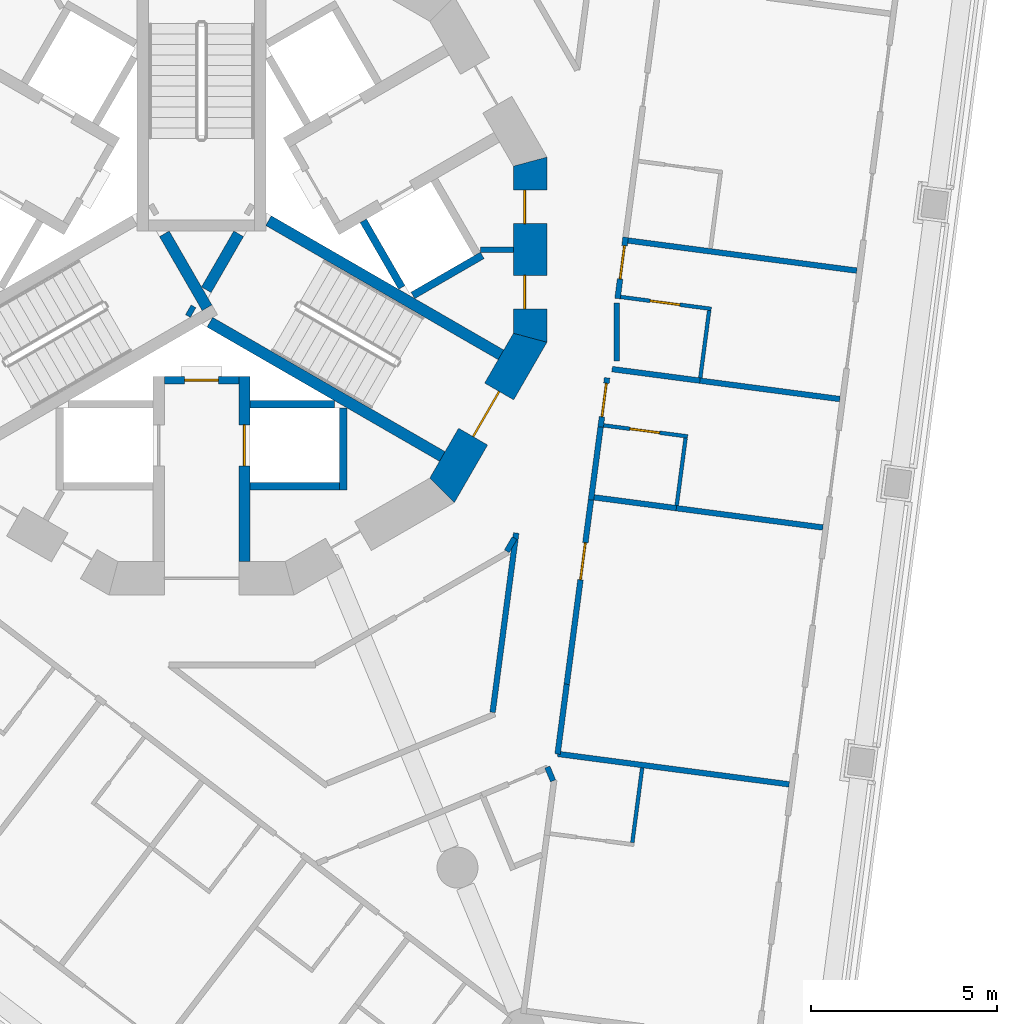
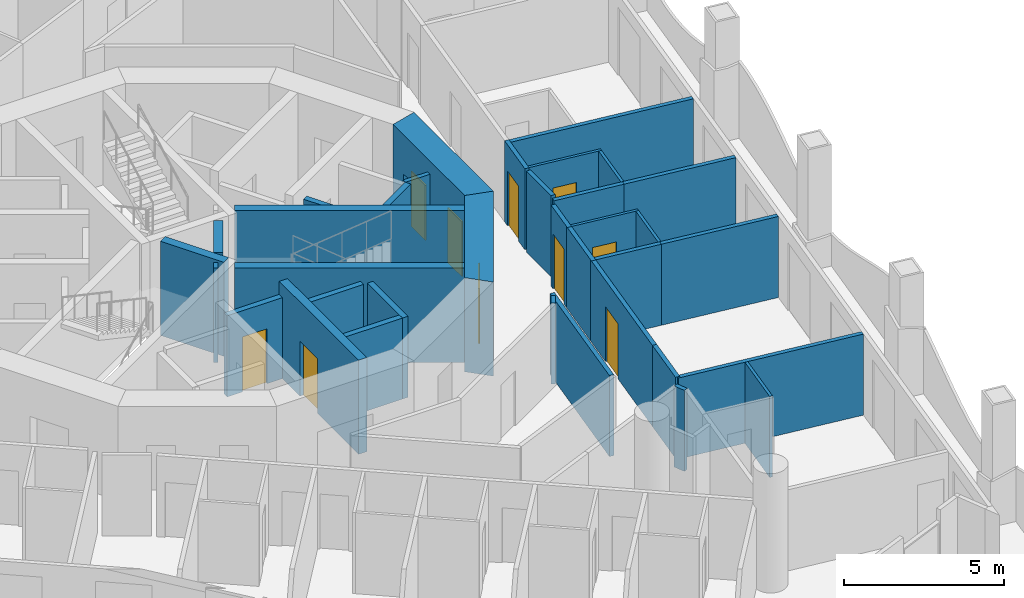
# One storey, part 5 of 17: 35 walls, 10 doors, 10 openings.
"""IFC4 building model written with IfcOpenShell, lengths in metres."""

from ifc_helpers import new_model, si_unit, direction, frame, frame_2d, origin, place, context, subcontext, project, spatial, polyline, rectangle, outline, extrude, material, layer, layer_set, type_object, element, fill, save


model = new_model("IFC4")

# Units and contexts
model_context = context("Model", 3, precision=1e-05, world=origin(), true_north=direction((0.0, 1.0)))
body_context = subcontext(model_context, "Body", "Model", "MODEL_VIEW")
ifc_project = project(units=[si_unit("LENGTHUNIT", "METRE"), si_unit("AREAUNIT", "SQUARE_METRE"), si_unit("VOLUMEUNIT", "CUBIC_METRE"), si_unit("PLANEANGLEUNIT", "RADIAN"), si_unit("MASSUNIT", "GRAM", prefix="KILO")], contexts=[model_context])

# Site, building, storey
site_placement = place(None, origin())
site = spatial("IfcSite", under=ifc_project, at=site_placement, CompositionType="ELEMENT")
building_placement = place(site_placement, origin())
building = spatial("IfcBuilding", under=site, at=building_placement, Name="Trine Commons Tower", CompositionType="ELEMENT")
storey_placement = place(building_placement, frame((0.0, 0.0, 153.0)))
storey = spatial("IfcBuildingStorey", under=building, at=storey_placement, Name="L39", CompositionType="ELEMENT", Elevation=153.0)

# Wall
ifc_material_1 = material(Name="Plasterboard partition on steel studs", Category="steel")
ifc_layer_1 = layer(ifc_material_1, 0.14990234375)
ifc_layer_set_1 = layer_set([ifc_layer_1], Name="Plasterboard partition on steel studs")
wall_type_1 = type_object("IfcWallType", Name="Core room partition 150 mm, EI 60", PredefinedType="PARTITIONING", material=ifc_layer_set_1)
wall_1_placement = place(storey_placement, frame((88.373046875, 62.5, 0.0), z_axis=(0.0, 0.0, 1.0), x_axis=(-1.0, 0.0, 0.0)))
element("IfcWall", 1, at=wall_1_placement, inside=storey, type_object=wall_type_1, Name="Core room partition L39", PredefinedType="PARTITIONING", context=body_context, shape_type="SweptSolid", body=[
    extrude(rectangle(XDim=0.882080078125, YDim=0.14990234375, at=frame_2d((0.44091796875, 0.0))), origin(), (0.0, 0.0, 1.0), 3.10009765625),
])

# Wall, opening, door
ifc_material_2 = material(Name="Fire-rated gypsum shaft wall system")
ifc_layer_2 = layer(ifc_material_2, 0.199951171875)
ifc_layer_set_2 = layer_set([ifc_layer_2], Name="Fire-rated gypsum shaft wall system")
wall_type_2 = type_object("IfcWallType", Name="Lobby end wall 200 mm, EI 120", PredefinedType="PARTITIONING", material=ifc_layer_set_2)
wall_2_placement = place(storey_placement, frame((79.0, 59.0, 0.0), z_axis=(0.0, 0.0, 1.0), x_axis=(1.0, 0.0, 0.0)))
wall_2 = element("IfcWall", 2, at=wall_2_placement, inside=storey, type_object=wall_type_2, Name="Lobby end wall L39", PredefinedType="PARTITIONING", context=body_context, shape_type="SweptSolid", body=[
    extrude(rectangle(XDim=2.0, YDim=0.199951171875, at=frame_2d((1.0, 0.0))), origin(), (0.0, 0.0, 1.0), 3.10009765625),
])
opening_1_placement = place(wall_2_placement, frame((0.550048828125, 0.0, 0.0)))
opening_1 = element("IfcOpeningElement", 3, at=opening_1_placement, cuts=wall_2, Name="Opening K10.09", PredefinedType="OPENING", context=body_context, shape_type="SweptSolid", body=[
    extrude(rectangle(XDim=0.89990234375, YDim=2.10009765625, at=frame_2d((0.449951171875, 1.050048828125))), frame((0.0, 0.10986328125, 0.0), z_axis=(0.0, -1.0, 0.0), x_axis=(1.0, 0.0, 0.0)), (0.0, 0.0, 1.0), 0.219970703125),
])
ifc_material_3 = material(Name="Steel door leaf, fire-rated", Category="steel")
door_type_1 = type_object("IfcDoorType", Name="Riser access door, single leaf 900 x 2100, FD60", OperationType="SINGLE_SWING_LEFT", PredefinedType="DOOR", material=ifc_material_3)
door_1_placement = place(opening_1_placement, frame((0.89990234375, 0.0, 0.0), z_axis=(0.0, 0.0, 1.0), x_axis=(-1.0, 0.0, 0.0)))
door_1 = element("IfcDoor", 4, at=door_1_placement, inside=storey, type_object=door_type_1, Name="Riser door, Communications riser L39", OperationType="SINGLE_SWING_RIGHT", OverallHeight=2.10009765625, OverallWidth=0.89990234375, PredefinedType="DOOR", context=body_context, shape_type="SweptSolid", body=[
    extrude(rectangle(XDim=0.89990234375, YDim=2.10009765625, at=frame_2d((0.449951171875, 1.050048828125))), frame((0.0, 0.02490234375, 0.0), z_axis=(0.0, -1.0, 0.0), x_axis=(1.0, 0.0, 0.0)), (0.0, 0.0, 1.0), 0.050048828125),
])
fill(opening_1, door_1)

ifc_material_4 = material(Name="Concrete C70/85", Category="concrete")
ifc_layer_3 = layer(ifc_material_4, 0.300048828125)
ifc_layer_set_3 = layer_set([ifc_layer_3], Name="Concrete C70/85")
wall_type_3 = type_object("IfcWallType", Name="RC shear wall 300 mm, C70/85", PredefinedType="SHEAR", material=ifc_layer_set_3)
wall_3_placement = place(storey_placement, frame((81.14990234375, 59.10009765625, 0.0), z_axis=(0.0, 0.0, 1.0), x_axis=(0.0, -1.0, 0.0)))
wall_3 = element("IfcWall", 5, at=wall_3_placement, inside=storey, type_object=wall_type_3, Name="Core cross wall SWB-04 L39", PredefinedType="SHEAR", context=body_context, shape_type="SweptSolid", body=[
    extrude(rectangle(XDim=4.97314453125, YDim=0.300048828125, at=frame_2d((2.486572265625, 0.0))), origin(), (0.0, 0.0, 1.0), 3.60009765625),
])
opening_2_placement = place(wall_3_placement, frame((1.300048828125, 0.0, 0.0)))
opening_2 = element("IfcOpeningElement", 6, at=opening_2_placement, cuts=wall_3, Name="Opening LD9", PredefinedType="OPENING", context=body_context, shape_type="SweptSolid", body=[
    extrude(rectangle(XDim=1.10009765625, YDim=2.10009765625, at=frame_2d((0.550048828125, 1.050048828125))), frame((0.0, 0.159912109375, 0.0), z_axis=(0.0, -1.0, 0.0), x_axis=(1.0, 0.0, 0.0)), (0.0, 0.0, 1.0), 0.320068359375),
])
ifc_material_5 = material(Name="Stainless steel sliding door leaves", Category="steel")
door_type_2 = type_object("IfcDoorType", Name="Lift landing door, centre-opening sliding 1100 x 2100, FD90", OperationType="DOUBLE_DOOR_SLIDING", PredefinedType="DOOR", material=ifc_material_5)
door_2_placement = place(opening_2_placement, origin())
door_2 = element("IfcDoor", 7, at=door_2_placement, inside=storey, type_object=door_type_2, Name="Lift landing door FF1 L39", OperationType="DOUBLE_DOOR_SLIDING", OverallHeight=2.10009765625, OverallWidth=1.10009765625, PredefinedType="DOOR", context=body_context, shape_type="SweptSolid", body=[
    extrude(rectangle(XDim=1.10009765625, YDim=2.10009765625, at=frame_2d((0.550048828125, 1.050048828125))), frame((0.0, 0.02490234375, 0.0), z_axis=(0.0, -1.0, 0.0), x_axis=(1.0, 0.0, 0.0)), (0.0, 0.0, 1.0), 0.050048828125),
])
fill(opening_2, door_2)

# Walls
wall_4_placement = place(storey_placement, frame((79.0029296875, 62.926025390625, 0.0), z_axis=(0.0, 0.0, 1.0), x_axis=(0.499965247104, -0.866045467449, 0.0)))
element("IfcWall", 8, at=wall_4_placement, inside=storey, type_object=wall_type_3, Name="Core cross wall SWB-10 L39", PredefinedType="SHEAR", context=body_context, shape_type="SweptSolid", body=[
    extrude(rectangle(XDim=2.292236328125, YDim=0.300048828125, at=frame_2d((1.14599609375, 0.0))), origin(), (0.0, 0.0, 1.0), 3.60009765625),
])
wall_5_placement = place(storey_placement, frame((79.64599609375, 60.885986328125, 0.0), z_axis=(0.0, 0.0, 1.0), x_axis=(0.867331893649, -0.497730234424, 0.0)))
element("IfcWall", 9, at=wall_5_placement, inside=storey, type_object=wall_type_3, Name="Core cross wall SWB-11 L39", PredefinedType="SHEAR", context=body_context, shape_type="SweptSolid", body=[
    extrude(rectangle(XDim=0.148681640625, YDim=0.300048828125, at=frame_2d((0.07421875, 0.0))), origin(), (0.0, 0.0, 1.0), 3.60009765625),
])
wall_6_placement = place(storey_placement, frame((80.1298828125, 61.424072265625, 0.0), z_axis=(0.0, 0.0, 1.0), x_axis=(0.500014901547, 0.866016800201, 0.0)))
element("IfcWall", 10, at=wall_6_placement, inside=storey, type_object=wall_type_3, Name="Core cross wall SWB-12 L39", PredefinedType="SHEAR", context=body_context, shape_type="SweptSolid", body=[
    extrude(rectangle(XDim=1.734375, YDim=0.300048828125, at=frame_2d((0.8671875, 0.0))), origin(), (0.0, 0.0, 1.0), 3.60009765625),
])
for number, where, z_axis, x_axis, name in (
    (11, (80.22509765625, 60.552001953125, 0.0), (0.0, 0.0, 1.0), (0.866028135082, -0.499995269223, 0.0), "Core cross wall SWB-13 L39"),
    (12, (81.800048828125, 63.280029296875, 0.0), (0.0, 0.0, 1.0), (0.866028135082, -0.499995269223, 0.0), "Core cross wall SWB-18 L39"),
):
    element("IfcWall", number, at=place(storey_placement, frame(where, z_axis=z_axis, x_axis=x_axis)), inside=storey, type_object=wall_type_3, Name=name, PredefinedType="SHEAR", context=body_context, shape_type="SweptSolid", body=[
        extrude(rectangle(XDim=7.2041015625, YDim=0.300048828125, at=frame_2d((3.60205078125, 0.0))), origin(), (0.0, 0.0, 1.0), 3.60009765625),
    ])

# Wall, openings, doors
ifc_layer_4 = layer(ifc_material_4, 0.89990234375)
ifc_layer_set_4 = layer_set([ifc_layer_4], Name="Concrete C70/85")
wall_type_4 = type_object("IfcWallType", Name="RC shear wall 900 mm, C70/85", PredefinedType="SHEAR", material=ifc_layer_set_4)
wall_7_placement = place(storey_placement, frame((88.822998046875, 60.015380859375, 0.0), z_axis=(0.0, 0.0, 1.0), x_axis=(0.0, 1.0, 0.0)))
wall_7 = element("IfcWall", 13, at=wall_7_placement, inside=storey, type_object=wall_type_4, Name="Core wall CWD-01 L39", PredefinedType="SHEAR", context=body_context, shape_type="SweptSolid", body=[
    extrude(outline(polyline([(0.0, -0.449951171875), (4.969482421875, -0.449951171875), (4.728271484375, 0.449951171875), (0.2412109375, 0.449951171875), (0.0, -0.449951171875)])), origin(), (0.0, 0.0, 1.0), 3.60009765625),
])
opening_3_placement = place(wall_7_placement, frame((0.893798828125, 0.0, 0.0)))
opening_3 = element("IfcOpeningElement", 14, at=opening_3_placement, cuts=wall_7, Name="Opening K10.10", PredefinedType="OPENING", context=body_context, shape_type="SweptSolid", body=[
    extrude(rectangle(XDim=0.89990234375, YDim=2.10009765625, at=frame_2d((0.449951171875, 1.050048828125))), frame((0.0, 0.4599609375, 0.0), z_axis=(0.0, -1.0, 0.0), x_axis=(1.0, 0.0, 0.0)), (0.0, 0.0, 1.0), 0.919921875),
])
opening_4_placement = place(wall_7_placement, frame((3.184814453125, 0.0, 0.0)))
opening_4 = element("IfcOpeningElement", 15, at=opening_4_placement, cuts=wall_7, Name="Opening K10.11", PredefinedType="OPENING", context=body_context, shape_type="SweptSolid", body=[
    extrude(rectangle(XDim=0.89990234375, YDim=2.10009765625, at=frame_2d((0.449951171875, 1.050048828125))), frame((0.0, 0.4599609375, 0.0), z_axis=(0.0, -1.0, 0.0), x_axis=(1.0, 0.0, 0.0)), (0.0, 0.0, 1.0), 0.919921875),
])
door_type_3 = type_object("IfcDoorType", Name="Core room door, single leaf 900 x 2100, FD30S", OperationType="SINGLE_SWING_LEFT", PredefinedType="DOOR", material=ifc_material_3)
door_3_placement = place(opening_3_placement, origin())
door_3 = element("IfcDoor", 16, at=door_3_placement, inside=storey, type_object=door_type_3, Name="Door to Cleaner's store L39", OperationType="SINGLE_SWING_LEFT", OverallHeight=2.10009765625, OverallWidth=0.89990234375, PredefinedType="DOOR", context=body_context, shape_type="SweptSolid", body=[
    extrude(rectangle(XDim=0.89990234375, YDim=2.10009765625, at=frame_2d((0.449951171875, 1.050048828125))), frame((0.0, 0.1748046875, 0.0), z_axis=(0.0, -1.0, 0.0), x_axis=(1.0, 0.0, 0.0)), (0.0, 0.0, 1.0), 0.050048828125),
])
fill(opening_3, door_3)
door_4_placement = place(opening_4_placement, origin())
door_4 = element("IfcDoor", 17, at=door_4_placement, inside=storey, type_object=door_type_3, Name="Door to Accessible WC L39", OperationType="SINGLE_SWING_RIGHT", OverallHeight=2.10009765625, OverallWidth=0.89990234375, PredefinedType="DOOR", context=body_context, shape_type="SweptSolid", body=[
    extrude(rectangle(XDim=0.89990234375, YDim=2.10009765625, at=frame_2d((0.449951171875, 1.050048828125))), frame((0.0, 0.1748046875, 0.0), z_axis=(0.0, -1.0, 0.0), x_axis=(1.0, 0.0, 0.0)), (0.0, 0.0, 1.0), 0.050048828125),
])
fill(opening_4, door_4)

# Wall, opening, door
wall_8_placement = place(storey_placement, frame((86.3984375, 55.936767578125, 0.0), z_axis=(0.0, 0.0, 1.0), x_axis=(0.500038571144, 0.866003133579, 0.0)))
wall_8 = element("IfcWall", 18, at=wall_8_placement, inside=storey, type_object=wall_type_4, Name="Core wall CWD-12 L39", PredefinedType="SHEAR", context=body_context, shape_type="SweptSolid", body=[
    extrude(outline(polyline([(0.0, -0.449951171875), (4.96923828125, -0.449951171875), (4.72802734375, 0.449951171875), (0.2412109375, 0.449951171875), (0.0, -0.449951171875)])), origin(), (0.0, 0.0, 1.0), 3.60009765625),
])
opening_5_placement = place(wall_8_placement, frame((1.78466796875, 0.0, 0.0)))
opening_5 = element("IfcOpeningElement", 19, at=opening_5_placement, cuts=wall_8, Name="Opening K10.03", PredefinedType="OPENING", context=body_context, shape_type="SweptSolid", body=[
    extrude(rectangle(XDim=1.39990234375, YDim=2.10009765625, at=frame_2d((0.699951171875, 1.050048828125))), frame((0.0, 0.4599609375, 0.0), z_axis=(0.0, -1.0, 0.0), x_axis=(1.0, 0.0, 0.0)), (0.0, 0.0, 1.0), 0.919921875),
])
ifc_material_6 = material(Name="Steel door leaves, fire-rated", Category="steel")
door_type_4 = type_object("IfcDoorType", Name="Stair door, double leaf 1400 x 2100, FD90", OperationType="DOUBLE_DOOR_SINGLE_SWING", PredefinedType="DOOR", material=ifc_material_6)
door_5_placement = place(opening_5_placement, origin())
door_5 = element("IfcDoor", 20, at=door_5_placement, inside=storey, type_object=door_type_4, Name="Stair door to Exit stair ST3B L39", OperationType="DOUBLE_DOOR_SINGLE_SWING", OverallHeight=2.10009765625, OverallWidth=1.39990234375, PredefinedType="DOOR", context=body_context, shape_type="SweptSolid", body=[
    extrude(rectangle(XDim=1.39990234375, YDim=2.10009765625, at=frame_2d((0.699951171875, 1.050048828125))), frame((0.0, 0.02490234375, 0.0), z_axis=(0.0, -1.0, 0.0), x_axis=(1.0, 0.0, 0.0)), (0.0, 0.0, 1.0), 0.050048828125),
])
fill(opening_5, door_5)

# Walls
ifc_layer_5 = layer(ifc_material_2, 0.199951171875)
ifc_layer_set_5 = layer_set([ifc_layer_5], Name="Fire-rated gypsum shaft wall system")
wall_type_5 = type_object("IfcWallType", Name="Shaft wall 200 mm, EI 120", PredefinedType="PARTITIONING", material=ifc_layer_set_5)
wall_9_placement = place(storey_placement, frame((81.300048828125, 56.14990234375, 0.0), z_axis=(0.0, 0.0, 1.0), x_axis=(1.0, 0.0, 0.0)))
element("IfcWall", 21, at=wall_9_placement, inside=storey, type_object=wall_type_5, Name="Shaft wall L39", PredefinedType="PARTITIONING", context=body_context, shape_type="SweptSolid", body=[
    extrude(rectangle(XDim=2.39990234375, YDim=0.199951171875, at=frame_2d((1.199951171875, 0.0))), origin(), (0.0, 0.0, 1.0), 3.10009765625),
])
wall_10_placement = place(storey_placement, frame((81.300048828125, 58.35009765625, 0.0), z_axis=(0.0, 0.0, 1.0), x_axis=(1.0, 0.0, 0.0)))
element("IfcWall", 22, at=wall_10_placement, inside=storey, type_object=wall_type_5, Name="Shaft wall L39", PredefinedType="PARTITIONING", context=body_context, shape_type="SweptSolid", body=[
    extrude(rectangle(XDim=2.264892578125, YDim=0.199951171875, at=frame_2d((1.13232421875, 0.0))), origin(), (0.0, 0.0, 1.0), 3.10009765625),
])
wall_11_placement = place(storey_placement, frame((83.800048828125, 58.257080078125, 0.0), z_axis=(0.0, 0.0, 1.0), x_axis=(0.0, -1.0, 0.0)))
element("IfcWall", 23, at=wall_11_placement, inside=storey, type_object=wall_type_5, Name="Shaft wall L39", PredefinedType="PARTITIONING", context=body_context, shape_type="SweptSolid", body=[
    extrude(rectangle(XDim=2.20703125, YDim=0.199951171875, at=frame_2d((1.103515625, 0.0))), origin(), (0.0, 0.0, 1.0), 3.10009765625),
])
wall_12_placement = place(storey_placement, frame((84.343994140625, 63.27587890625, 0.0), z_axis=(0.0, 0.0, 1.0), x_axis=(0.500271688072, -0.86586848777, 0.0)))
element("IfcWall", 24, at=wall_12_placement, inside=storey, type_object=wall_type_5, Name="Shaft wall L39", PredefinedType="PARTITIONING", context=body_context, shape_type="SweptSolid", body=[
    extrude(rectangle(XDim=2.064697265625, YDim=0.199951171875, at=frame_2d((1.0322265625, 0.0))), origin(), (0.0, 0.0, 1.0), 3.10009765625),
])
wall_13_placement = place(storey_placement, frame((85.675048828125, 61.27392578125, 0.0), z_axis=(0.0, 0.0, 1.0), x_axis=(0.866102336459, 0.499866725018, 0.0)))
element("IfcWall", 25, at=wall_13_placement, inside=storey, type_object=wall_type_5, Name="Shaft wall L39", PredefinedType="PARTITIONING", context=body_context, shape_type="SweptSolid", body=[
    extrude(rectangle(XDim=2.1484375, YDim=0.199951171875, at=frame_2d((1.07421875, 0.0))), origin(), (0.0, 0.0, 1.0), 3.10009765625),
])
ifc_material_7 = material(Name="Gypsum plasterboard on steel stud", Category="steel")
ifc_layer_6 = layer(ifc_material_7, 0.14990234375)
ifc_layer_set_6 = layer_set([ifc_layer_6], Name="Gypsum plasterboard on steel stud")
wall_type_6 = type_object("IfcWallType", Name="Unit and corridor wall 150 mm, EI 60", PredefinedType="PARTITIONING", material=ifc_layer_set_6)
wall_14_placement = place(storey_placement, frame((87.814697265625, 50.080322265625, 0.0), z_axis=(0.0, 0.0, 1.0), x_axis=(0.130546835993, 0.991442143351, 0.0)))
element("IfcWall", 26, at=wall_14_placement, inside=storey, type_object=wall_type_6, Name="Partition 101", PredefinedType="PARTITIONING", context=body_context, shape_type="SweptSolid", body=[
    extrude(rectangle(XDim=4.856689453125, YDim=0.14990234375, at=frame_2d((2.42822265625, 0.0))), origin(), (0.0, 0.0, 1.0), 3.10009765625),
])
wall_15_placement = place(storey_placement, frame((88.198486328125, 54.404052734375, 0.0), z_axis=(0.0, 0.0, 1.0), x_axis=(0.499481060725, 0.866324806281, 0.0)))
element("IfcWall", 27, at=wall_15_placement, inside=storey, type_object=wall_type_6, Name="Partition 103", PredefinedType="PARTITIONING", context=body_context, shape_type="SweptSolid", body=[
    extrude(rectangle(XDim=0.40869140625, YDim=0.14990234375, at=frame_2d((0.204345703125, 0.0))), origin(), (0.0, 0.0, 1.0), 3.10009765625),
])
wall_16_placement = place(storey_placement, frame((89.283935546875, 48.611328125, 0.0), z_axis=(0.0, 0.0, 1.0), x_axis=(0.383358021714, -0.923599819829, 0.0)))
element("IfcWall", 28, at=wall_16_placement, inside=storey, type_object=wall_type_6, Name="Partition 111", PredefinedType="PARTITIONING", context=body_context, shape_type="SweptSolid", body=[
    extrude(rectangle(XDim=0.39990234375, YDim=0.14990234375, at=frame_2d((0.199951171875, 0.0))), origin(), (0.0, 0.0, 1.0), 3.10009765625),
])
wall_17_placement = place(storey_placement, frame((89.55908203125, 48.9609375, 0.0), z_axis=(0.0, 0.0, 1.0), x_axis=(0.130073589494, 0.99150434256, 0.0)))
element("IfcWall", 29, at=wall_17_placement, inside=storey, type_object=wall_type_6, Name="Partition 112", PredefinedType="PARTITIONING", context=body_context, shape_type="SweptSolid", body=[
    extrude(rectangle(XDim=1.89013671875, YDim=0.14990234375, at=frame_2d((0.945068359375, 0.0))), origin(), (0.0, 0.0, 1.0), 3.10009765625),
])
wall_18_placement = place(storey_placement, frame((89.55908203125, 48.965087890625, 0.0), z_axis=(0.0, 0.0, 1.0), x_axis=(0.991455620836, -0.130444439942, 0.0)))
element("IfcWall", 30, at=wall_18_placement, inside=storey, type_object=wall_type_6, Name="Partition 113", PredefinedType="PARTITIONING", context=body_context, shape_type="SweptSolid", body=[
    extrude(rectangle(XDim=6.269775390625, YDim=0.14990234375, at=frame_2d((3.134765625, 0.0))), origin(), (0.0, 0.0, 1.0), 3.10009765625),
])

# Wall, opening, door
wall_19_placement = place(storey_placement, frame((89.804931640625, 50.8349609375, 0.0), z_axis=(0.0, 0.0, 1.0), x_axis=(0.130505549377, 0.991447578837, 0.0)))
wall_19 = element("IfcWall", 31, at=wall_19_placement, inside=storey, type_object=wall_type_6, Name="Partition 114", PredefinedType="PARTITIONING", context=body_context, shape_type="SweptSolid", body=[
    extrude(rectangle(XDim=5.073486328125, YDim=0.14990234375, at=frame_2d((2.53662109375, 0.0))), origin(), (0.0, 0.0, 1.0), 3.10009765625),
])
opening_6_placement = place(wall_19_placement, frame((2.83056640625, 0.0, 0.0)))
opening_6 = element("IfcOpeningElement", 32, at=opening_6_placement, cuts=wall_19, Name="Opening D-4C20", PredefinedType="OPENING", context=body_context, shape_type="SweptSolid", body=[
    extrude(rectangle(XDim=1.0, YDim=2.10009765625, at=frame_2d((0.5, 1.050048828125))), frame((0.0, 0.0849609375, 0.0), z_axis=(0.0, -1.0, 0.0), x_axis=(1.0, 0.0, 0.0)), (0.0, 0.0, 1.0), 0.169921875),
])
ifc_material_8 = material(Name="Painted timber", Category="wood")
door_type_5 = type_object("IfcDoorType", Name="Amenity room door 1000 x 2100, NOT RATED", OperationType="NOTDEFINED", PredefinedType="DOOR", material=ifc_material_8)
door_6_placement = place(opening_6_placement, frame((1.0, 0.0, 0.0), z_axis=(0.0, 0.0, 1.0), x_axis=(-1.0, 0.0, 0.0)))
door_6 = element("IfcDoor", 33, at=door_6_placement, inside=storey, type_object=door_type_5, Name="Door D-4C20", OperationType="SINGLE_SWING_LEFT", OverallHeight=2.10009765625, OverallWidth=1.0, PredefinedType="DOOR", context=body_context, shape_type="SweptSolid", body=[
    extrude(rectangle(XDim=1.0, YDim=2.10009765625, at=frame_2d((0.5, 1.050048828125))), frame((0.0, 0.02490234375, 0.0), z_axis=(0.0, -1.0, 0.0), x_axis=(1.0, 0.0, 0.0)), (0.0, 0.0, 1.0), 0.050048828125),
])
fill(opening_6, door_6)

# Walls
wall_20_placement = place(storey_placement, frame((90.456298828125, 55.78271484375, 0.0), z_axis=(0.0, 0.0, 1.0), x_axis=(0.130668874655, 0.99142606643, 0.0)))
element("IfcWall", 34, at=wall_20_placement, inside=storey, type_object=wall_type_6, Name="Partition 116", PredefinedType="PARTITIONING", context=body_context, shape_type="SweptSolid", body=[
    extrude(rectangle(XDim=2.03271484375, YDim=0.14990234375, at=frame_2d((1.016357421875, 0.0))), origin(), (0.0, 0.0, 1.0), 3.10009765625),
])
wall_21_placement = place(storey_placement, frame((90.54150390625, 55.851318359375, 0.0), z_axis=(0.0, 0.0, 1.0), x_axis=(0.991449812459, -0.130488579479, 0.0)))
element("IfcWall", 35, at=wall_21_placement, inside=storey, type_object=wall_type_6, Name="Partition 117", PredefinedType="PARTITIONING", context=body_context, shape_type="SweptSolid", body=[
    extrude(rectangle(XDim=2.224609375, YDim=0.14990234375, at=frame_2d((1.1123046875, 0.0))), origin(), (0.0, 0.0, 1.0), 3.10009765625),
])

# Wall, opening, door
wall_22_placement = place(storey_placement, frame((90.714599609375, 57.740478515625, 0.0), z_axis=(0.0, 0.0, 1.0), x_axis=(0.130240977229, 0.991482368905, 0.0)))
wall_22 = element("IfcWall", 36, at=wall_22_placement, inside=storey, type_object=wall_type_6, Name="Partition 120", PredefinedType="PARTITIONING", context=body_context, shape_type="SweptSolid", body=[
    extrude(rectangle(XDim=1.330810546875, YDim=0.14990234375, at=frame_2d((0.66552734375, 0.0))), origin(), (0.0, 0.0, 1.0), 3.10009765625),
])
opening_7_placement = place(wall_22_placement, frame((0.281005859375, 0.0, 0.0)))
opening_7 = element("IfcOpeningElement", 37, at=opening_7_placement, cuts=wall_22, Name="Opening D-4C19", PredefinedType="OPENING", context=body_context, shape_type="SweptSolid", body=[
    extrude(rectangle(XDim=0.89990234375, YDim=2.10009765625, at=frame_2d((0.449951171875, 1.050048828125))), frame((0.0, 0.0849609375, 0.0), z_axis=(0.0, -1.0, 0.0), x_axis=(1.0, 0.0, 0.0)), (0.0, 0.0, 1.0), 0.169921875),
])
ifc_material_9 = material(Name="Timber fire door set", Category="wood")
door_type_6 = type_object("IfcDoorType", Name="Bedroom door 900 x 2100, FD30S", OperationType="NOTDEFINED", PredefinedType="DOOR", material=ifc_material_9)
door_7_placement = place(opening_7_placement, frame((0.89990234375, 0.0, 0.0), z_axis=(0.0, 0.0, 1.0), x_axis=(-1.0, 0.0, 0.0)))
door_7 = element("IfcDoor", 38, at=door_7_placement, inside=storey, type_object=door_type_6, Name="Door D-4C19", OperationType="SINGLE_SWING_LEFT", OverallHeight=2.10009765625, OverallWidth=0.89990234375, PredefinedType="DOOR", context=body_context, shape_type="SweptSolid", body=[
    extrude(rectangle(XDim=0.89990234375, YDim=2.10009765625, at=frame_2d((0.449951171875, 1.050048828125))), frame((0.0, 0.02490234375, 0.0), z_axis=(0.0, -1.0, 0.0), x_axis=(1.0, 0.0, 0.0)), (0.0, 0.0, 1.0), 0.050048828125),
])
fill(opening_7, door_7)

# Walls
wall_23_placement = place(storey_placement, frame((91.02197265625, 59.294921875, 0.0), z_axis=(0.0, 0.0, 1.0), x_axis=(0.991478039458, -0.13027393167, 0.0)))
element("IfcWall", 39, at=wall_23_placement, inside=storey, type_object=wall_type_6, Name="Partition 123", PredefinedType="PARTITIONING", context=body_context, shape_type="SweptSolid", body=[
    extrude(rectangle(XDim=2.378173828125, YDim=0.14990234375, at=frame_2d((1.18896484375, 0.0))), origin(), (0.0, 0.0, 1.0), 3.10009765625),
])
wall_24_placement = place(storey_placement, frame((91.14794921875, 59.512939453125, 0.0), z_axis=(0.0, 0.0, 1.0), x_axis=(0.0, 1.0, 0.0)))
element("IfcWall", 40, at=wall_24_placement, inside=storey, type_object=wall_type_6, Name="Partition 124", PredefinedType="PARTITIONING", context=body_context, shape_type="SweptSolid", body=[
    extrude(rectangle(XDim=1.550048828125, YDim=0.14990234375, at=frame_2d((0.77490234375, 0.0))), origin(), (0.0, 0.0, 1.0), 3.10009765625),
])

# Wall, opening, door
wall_25_placement = place(storey_placement, frame((91.16845703125, 61.1884765625, 0.0), z_axis=(0.0, 0.0, 1.0), x_axis=(0.130294737563, 0.991475305473, 0.0)))
wall_25 = element("IfcWall", 41, at=wall_25_placement, inside=storey, type_object=wall_type_6, Name="Partition 125", PredefinedType="PARTITIONING", context=body_context, shape_type="SweptSolid", body=[
    extrude(rectangle(XDim=1.66015625, YDim=0.14990234375, at=frame_2d((0.830078125, 0.0))), origin(), (0.0, 0.0, 1.0), 3.10009765625),
])
opening_8_placement = place(wall_25_placement, frame((0.531005859375, 0.0, 0.0)))
opening_8 = element("IfcOpeningElement", 42, at=opening_8_placement, cuts=wall_25, Name="Opening D-4C18", PredefinedType="OPENING", context=body_context, shape_type="SweptSolid", body=[
    extrude(rectangle(XDim=0.89990234375, YDim=2.10009765625, at=frame_2d((0.449951171875, 1.050048828125))), frame((0.0, 0.0849609375, 0.0), z_axis=(0.0, -1.0, 0.0), x_axis=(1.0, 0.0, 0.0)), (0.0, 0.0, 1.0), 0.169921875),
])
door_8_placement = place(opening_8_placement, frame((0.89990234375, 0.0, 0.0), z_axis=(0.0, 0.0, 1.0), x_axis=(-1.0, 0.0, 0.0)))
door_8 = element("IfcDoor", 43, at=door_8_placement, inside=storey, type_object=door_type_6, Name="Door D-4C18", OperationType="SINGLE_SWING_LEFT", OverallHeight=2.10009765625, OverallWidth=0.89990234375, PredefinedType="DOOR", context=body_context, shape_type="SweptSolid", body=[
    extrude(rectangle(XDim=0.89990234375, YDim=2.10009765625, at=frame_2d((0.449951171875, 1.050048828125))), frame((0.0, 0.02490234375, 0.0), z_axis=(0.0, -1.0, 0.0), x_axis=(1.0, 0.0, 0.0)), (0.0, 0.0, 1.0), 0.050048828125),
])
fill(opening_8, door_8)

# Walls
wall_26_placement = place(storey_placement, frame((91.449462890625, 62.74609375, 0.0), z_axis=(0.0, 0.0, 1.0), x_axis=(0.991457381012, -0.130431060858, 0.0)))
element("IfcWall", 44, at=wall_26_placement, inside=storey, type_object=wall_type_6, Name="Partition 128", PredefinedType="PARTITIONING", context=body_context, shape_type="SweptSolid", body=[
    extrude(rectangle(XDim=6.19384765625, YDim=0.14990234375, at=frame_2d((3.096923828125, 0.0))), origin(), (0.0, 0.0, 1.0), 3.10009765625),
])
wall_27_placement = place(storey_placement, frame((92.7470703125, 55.56103515625, 0.0), z_axis=(0.0, 0.0, 1.0), x_axis=(0.991421815949, -0.130701120348, 0.0)))
element("IfcWall", 45, at=wall_27_placement, inside=storey, type_object=wall_type_6, Name="Partition 138", PredefinedType="PARTITIONING", context=body_context, shape_type="SweptSolid", body=[
    extrude(rectangle(XDim=3.96923828125, YDim=0.14990234375, at=frame_2d((1.984619140625, 0.0))), origin(), (0.0, 0.0, 1.0), 3.10009765625),
])
wall_28_placement = place(storey_placement, frame((93.3798828125, 58.985107421875, 0.0), z_axis=(0.0, 0.0, 1.0), x_axis=(0.991433227535, -0.130614529586, 0.0)))
element("IfcWall", 46, at=wall_28_placement, inside=storey, type_object=wall_type_6, Name="Partition 144", PredefinedType="PARTITIONING", context=body_context, shape_type="SweptSolid", body=[
    extrude(rectangle(XDim=3.788818359375, YDim=0.14990234375, at=frame_2d((1.89453125, 0.0))), origin(), (0.0, 0.0, 1.0), 3.10009765625),
])

# Wall, opening, door
ifc_layer_7 = layer(ifc_material_7, 0.10009765625)
ifc_layer_set_7 = layer_set([ifc_layer_7], Name="Gypsum plasterboard on steel stud")
wall_type_7 = type_object("IfcWallType", Name="Unit partition 100 mm, no rating", PredefinedType="PARTITIONING", material=ifc_layer_set_7)
wall_29_placement = place(storey_placement, frame((90.79638671875, 57.7841796875, 0.0), z_axis=(0.0, 0.0, 1.0), x_axis=(0.991459774706, -0.130412864162, 0.0)))
wall_29 = element("IfcWall", 47, at=wall_29_placement, inside=storey, type_object=wall_type_7, Name="Partition 121", PredefinedType="PARTITIONING", context=body_context, shape_type="SweptSolid", body=[
    extrude(rectangle(XDim=2.274658203125, YDim=0.10009765625, at=frame_2d((1.13720703125, 0.0))), origin(), (0.0, 0.0, 1.0), 3.10009765625),
])
opening_9_placement = place(wall_29_placement, frame((0.71240234375, 0.0, 0.0)))
opening_9 = element("IfcOpeningElement", 48, at=opening_9_placement, cuts=wall_29, Name="Opening D-4C51", PredefinedType="OPENING", context=body_context, shape_type="SweptSolid", body=[
    extrude(rectangle(XDim=0.800048828125, YDim=2.10009765625, at=frame_2d((0.39990234375, 1.050048828125))), frame((0.0, 0.06005859375, 0.0), z_axis=(0.0, -1.0, 0.0), x_axis=(1.0, 0.0, 0.0)), (0.0, 0.0, 1.0), 0.1201171875),
])
door_type_7 = type_object("IfcDoorType", Name="Internal door 800 x 2100, NOT RATED", OperationType="NOTDEFINED", PredefinedType="DOOR", material=ifc_material_8)
door_9_placement = place(opening_9_placement, origin())
door_9 = element("IfcDoor", 49, at=door_9_placement, inside=storey, type_object=door_type_7, Name="Door D-4C51", OperationType="SINGLE_SWING_LEFT", OverallHeight=2.10009765625, OverallWidth=0.800048828125, PredefinedType="DOOR", context=body_context, shape_type="SweptSolid", body=[
    extrude(rectangle(XDim=0.800048828125, YDim=2.10009765625, at=frame_2d((0.39990234375, 1.050048828125))), frame((0.0, 0.02490234375, 0.0), z_axis=(0.0, -1.0, 0.0), x_axis=(1.0, 0.0, 0.0)), (0.0, 0.0, 1.0), 0.050048828125),
])
fill(opening_9, door_9)

wall_30_placement = place(storey_placement, frame((91.24951171875, 61.232177734375, 0.0), z_axis=(0.0, 0.0, 1.0), x_axis=(0.991446173562, -0.130516224773, 0.0)))
wall_30 = element("IfcWall", 50, at=wall_30_placement, inside=storey, type_object=wall_type_7, Name="Partition 126", PredefinedType="PARTITIONING", context=body_context, shape_type="SweptSolid", body=[
    extrude(rectangle(XDim=2.4560546875, YDim=0.10009765625, at=frame_2d((1.22802734375, 0.0))), origin(), (0.0, 0.0, 1.0), 3.10009765625),
])
opening_10_placement = place(wall_30_placement, frame((0.802978515625, 0.0, 0.0)))
opening_10 = element("IfcOpeningElement", 51, at=opening_10_placement, cuts=wall_30, Name="Opening D-4C50", PredefinedType="OPENING", context=body_context, shape_type="SweptSolid", body=[
    extrude(rectangle(XDim=0.800048828125, YDim=2.10009765625, at=frame_2d((0.39990234375, 1.050048828125))), frame((0.0, 0.06005859375, 0.0), z_axis=(0.0, -1.0, 0.0), x_axis=(1.0, 0.0, 0.0)), (0.0, 0.0, 1.0), 0.1201171875),
])
door_10_placement = place(opening_10_placement, origin())
door_10 = element("IfcDoor", 52, at=door_10_placement, inside=storey, type_object=door_type_7, Name="Door D-4C50", OperationType="SINGLE_SWING_LEFT", OverallHeight=2.10009765625, OverallWidth=0.800048828125, PredefinedType="DOOR", context=body_context, shape_type="SweptSolid", body=[
    extrude(rectangle(XDim=0.800048828125, YDim=2.10009765625, at=frame_2d((0.39990234375, 1.050048828125))), frame((0.0, 0.02490234375, 0.0), z_axis=(0.0, -1.0, 0.0), x_axis=(1.0, 0.0, 0.0)), (0.0, 0.0, 1.0), 0.050048828125),
])
fill(opening_10, door_10)

# Walls
wall_31_placement = place(storey_placement, frame((91.5654296875, 46.58349609375, 0.0), z_axis=(0.0, 0.0, 1.0), x_axis=(0.130725909934, 0.991418547573, 0.0)))
element("IfcWall", 53, at=wall_31_placement, inside=storey, type_object=wall_type_7, Name="Partition 129", PredefinedType="PARTITIONING", context=body_context, shape_type="SweptSolid", body=[
    extrude(rectangle(XDim=2.0244140625, YDim=0.10009765625, at=frame_2d((1.01220703125, 0.0))), origin(), (0.0, 0.0, 1.0), 3.10009765625),
])
wall_32_placement = place(storey_placement, frame((92.7568359375, 55.635498046875, 0.0), z_axis=(0.0, 0.0, 1.0), x_axis=(0.130866407284, 0.991400011824, 0.0)))
element("IfcWall", 54, at=wall_32_placement, inside=storey, type_object=wall_type_7, Name="Partition 137", PredefinedType="PARTITIONING", context=body_context, shape_type="SweptSolid", body=[
    extrude(rectangle(XDim=1.824462890625, YDim=0.10009765625, at=frame_2d((0.912109375, 0.0))), origin(), (0.0, 0.0, 1.0), 3.10009765625),
])
wall_33_placement = place(storey_placement, frame((93.389892578125, 59.059326171875, 0.0), z_axis=(0.0, 0.0, 1.0), x_axis=(0.130717543687, 0.991419650689, 0.0)))
element("IfcWall", 55, at=wall_33_placement, inside=storey, type_object=wall_type_7, Name="Partition 143", PredefinedType="PARTITIONING", context=body_context, shape_type="SweptSolid", body=[
    extrude(rectangle(XDim=1.82470703125, YDim=0.10009765625, at=frame_2d((0.912353515625, 0.0))), origin(), (0.0, 0.0, 1.0), 3.10009765625),
])

save(model, "model.ifc")
